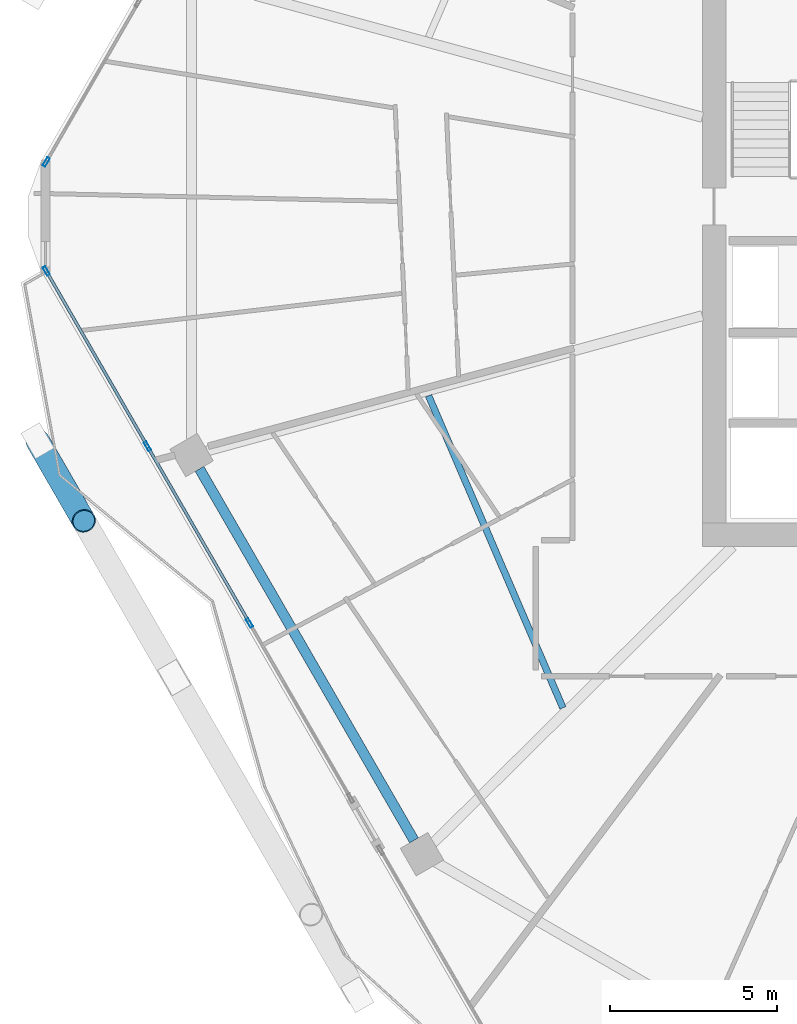
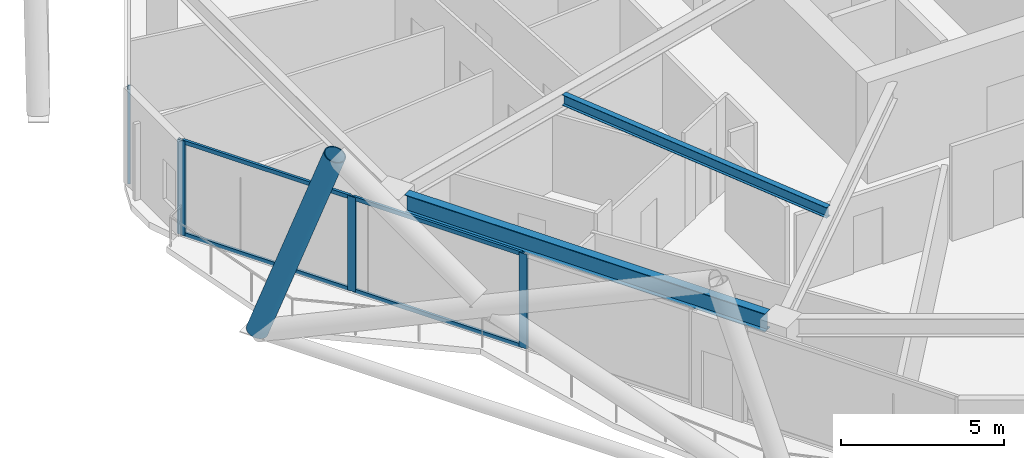
# One storey, part 5 of 29: 9 members, 2 beams, 2 elements without a shape of their own.
"""IFC4 building model written with IfcOpenShell, lengths in metres."""

from ifc_helpers import new_model, si_unit, direction, frame, origin, origin_2d, place, context, subcontext, project, spatial, hollow_rectangle, hollow_circle, i_section, extrude, material, material_profile, profile_set, type_object, element, aggregate, save


model = new_model("IFC4")

# Units and contexts
model_context = context("Model", 3, precision=1e-05, world=origin(), true_north=direction((0.0, 1.0)))
body_context = subcontext(model_context, "Body", "Model", "MODEL_VIEW")
ifc_project = project(units=[si_unit("LENGTHUNIT", "METRE"), si_unit("AREAUNIT", "SQUARE_METRE"), si_unit("VOLUMEUNIT", "CUBIC_METRE"), si_unit("PLANEANGLEUNIT", "RADIAN"), si_unit("MASSUNIT", "GRAM", prefix="KILO")], contexts=[model_context])

# Site, building, storey
site_placement = place(None, origin())
site = spatial("IfcSite", under=ifc_project, at=site_placement, CompositionType="ELEMENT")
building_placement = place(site_placement, origin())
building = spatial("IfcBuilding", under=site, at=building_placement, Name="Zuhravey Tower", CompositionType="ELEMENT")
storey_placement = place(building_placement, frame((0.0, 0.0, 192.199951171875)))
storey = spatial("IfcBuildingStorey", under=building, at=storey_placement, Name="L48", CompositionType="ELEMENT", Elevation=192.199951171875)

# Curtain wall, members
ifc_material_1 = material(Name="Thermally broken anodised aluminium", Category="aluminium")
curtain_wall_type = type_object("IfcCurtainWallType", Name="Zone 1-2 Residential Curtain Wall CW3", PredefinedType="NOTDEFINED", material=ifc_material_1)
curtain_wall_1_placement = place(storey_placement, origin())
curtain_wall_1 = element("IfcCurtainWall", 1, at=curtain_wall_1_placement, inside=storey, type_object=curtain_wall_type, Name="L48 CW3 CW-L48-F4-2", PredefinedType="NOTDEFINED")
ifc_material_2 = material(Name="Anodised aluminium", Category="aluminium")
ifc_material_profile_1 = material_profile(ifc_material_2, hollow_rectangle(XDim=0.090087890625, YDim=0.284912109375, WallThickness=0.0048828125, at=origin_2d()), Name="ALU-RHS-90x285x5")
ifc_profile_set_1 = profile_set([ifc_material_profile_1], Name="Anodised aluminium")
member_type_1 = type_object("IfcMemberType", Name="Curtain-Wall Mullion 90x180", PredefinedType="MULLION", material=ifc_profile_set_1)
member_1_placement = place(storey_placement, frame((11.620361328125, 19.860595703125, 0.0), z_axis=(0.0, 0.0, 1.0), x_axis=(-0.866026406579, -0.499998263105, 0.0)))
member_1 = element("IfcMember", 2, at=member_1_placement, type_object=member_type_1, Name="CW3 mullion 2", PredefinedType="MULLION", context=body_context, shape_type="SweptSolid", body=[
    extrude(hollow_rectangle(XDim=0.090087890625, YDim=0.284912109375, WallThickness=0.0048828125, at=origin_2d()), origin(), (0.0, 0.0, 1.0), 3.550048828125),
])
member_2_placement = place(storey_placement, frame((8.57421875, 25.136474609375, 0.0), z_axis=(0.0, 0.0, 1.0), x_axis=(-0.866026406579, -0.499998263105, 0.0)))
member_2 = element("IfcMember", 3, at=member_2_placement, type_object=member_type_1, Name="CW3 mullion 3", PredefinedType="MULLION", context=body_context, shape_type="SweptSolid", body=[
    extrude(hollow_rectangle(XDim=0.090087890625, YDim=0.284912109375, WallThickness=0.0048828125, at=origin_2d()), origin(), (0.0, 0.0, 1.0), 3.550048828125),
])
member_3_placement = place(storey_placement, frame((5.55078125, 30.37353515625, 0.0), z_axis=(0.0, 0.0, 1.0), x_axis=(-0.866026406579, -0.499998263105, 0.0)))
member_3 = element("IfcMember", 4, at=member_3_placement, type_object=member_type_1, Name="CW3 mullion 4", PredefinedType="MULLION", context=body_context, shape_type="SweptSolid", body=[
    extrude(hollow_rectangle(XDim=0.090087890625, YDim=0.284912109375, WallThickness=0.0048828125, at=origin_2d()), origin(), (0.0, 0.0, 1.0), 3.550048828125),
])

# Curtain wall, member
curtain_wall_2_placement = place(storey_placement, origin())
curtain_wall_2 = element("IfcCurtainWall", 5, at=curtain_wall_2_placement, inside=storey, type_object=curtain_wall_type, Name="L48 CW3 CW-L48-F3-1", PredefinedType="NOTDEFINED")
member_4_placement = place(storey_placement, frame((5.55078125, 33.62646484375, 0.0), z_axis=(0.0, 0.0, 1.0), x_axis=(-0.866025138215, 0.500000459979, 0.0)))
member_4 = element("IfcMember", 6, at=member_4_placement, type_object=member_type_1, Name="CW3 mullion 1", PredefinedType="MULLION", context=body_context, shape_type="SweptSolid", body=[
    extrude(hollow_rectangle(XDim=0.090087890625, YDim=0.284912109375, WallThickness=0.0048828125, at=origin_2d()), origin(), (0.0, 0.0, 1.0), 3.550048828125),
])
aggregate(curtain_wall_2, [member_4])

# Member
ifc_material_profile_2 = material_profile(ifc_material_2, hollow_rectangle(XDim=0.090087890625, YDim=0.14990234375, WallThickness=0.0048828125, at=origin_2d()), Name="ALU-RHS-90x150x5")
ifc_profile_set_2 = profile_set([ifc_material_profile_2], Name="Anodised aluminium")
member_type_2 = type_object("IfcMemberType", Name="Curtain-Wall Transom 90x150", PredefinedType="USERDEFINED", material=ifc_profile_set_2)
member_5_placement = place(storey_placement, frame((11.597900390625, 19.899658203125, 0.045166015625), z_axis=(-0.500019384178, 0.866014212035, 0.0), x_axis=(-0.866014212035, -0.500019384178, 0.0)))
member_5 = element("IfcMember", 7, at=member_5_placement, type_object=member_type_2, Name="CW3 transom 2.1", ObjectType="TRANSOM", PredefinedType="USERDEFINED", context=body_context, shape_type="SweptSolid", body=[
    extrude(hollow_rectangle(XDim=0.090087890625, YDim=0.14990234375, WallThickness=0.0048828125, at=origin_2d()), origin(), (0.0, 0.0, 1.0), 6.002197265625),
])

member_6_placement = place(storey_placement, frame((11.597900390625, 19.899658203125, 3.505126953125), z_axis=(-0.500019384178, 0.866014212035, 0.0), x_axis=(-0.866014212035, -0.500019384178, 0.0)))
member_6 = element("IfcMember", 8, at=member_6_placement, type_object=member_type_2, Name="CW3 transom 2.2", ObjectType="TRANSOM", PredefinedType="USERDEFINED", context=body_context, shape_type="SweptSolid", body=[
    extrude(hollow_rectangle(XDim=0.090087890625, YDim=0.14990234375, WallThickness=0.0048828125, at=origin_2d()), origin(), (0.0, 0.0, 1.0), 6.002197265625),
])

member_7_placement = place(storey_placement, frame((8.5517578125, 25.175537109375, 0.045166015625), z_axis=(-0.500000352308, 0.866025200379, 0.0), x_axis=(-0.866025200379, -0.500000352308, 0.0)))
member_7 = element("IfcMember", 9, at=member_7_placement, type_object=member_type_2, Name="CW3 transom 3.1", ObjectType="TRANSOM", PredefinedType="USERDEFINED", context=body_context, shape_type="SweptSolid", body=[
    extrude(hollow_rectangle(XDim=0.090087890625, YDim=0.14990234375, WallThickness=0.0048828125, at=origin_2d()), origin(), (0.0, 0.0, 1.0), 5.95703125),
])

member_8_placement = place(storey_placement, frame((8.5517578125, 25.175537109375, 3.505126953125), z_axis=(-0.500000352308, 0.866025200379, 0.0), x_axis=(-0.866025200379, -0.500000352308, 0.0)))
member_8 = element("IfcMember", 10, at=member_8_placement, type_object=member_type_2, Name="CW3 transom 3.2", ObjectType="TRANSOM", PredefinedType="USERDEFINED", context=body_context, shape_type="SweptSolid", body=[
    extrude(hollow_rectangle(XDim=0.090087890625, YDim=0.14990234375, WallThickness=0.0048828125, at=origin_2d()), origin(), (0.0, 0.0, 1.0), 5.95703125),
])

aggregate(curtain_wall_1, [member_1, member_2, member_3, member_5, member_6, member_7, member_8])

ifc_material_3 = material(Name="Steel SM460", Category="steel")
ifc_material_profile_3 = material_profile(ifc_material_3, hollow_circle(Radius=0.355712890625, WallThickness=0.031982421875, at=origin_2d()), Name="CHS-711.2x32")
ifc_profile_set_3 = profile_set([ifc_material_profile_3], Name="Steel SM460")
member_type_3 = type_object("IfcMemberType", Name="Exoskeleton Zone 2 Diagrid CHS711x32", PredefinedType="BRACE", material=ifc_profile_set_3)
member_9_placement = place(storey_placement, frame((5.294677734375, 25.296875, -0.44384765625), z_axis=(0.171433802544, -0.296937543674, 0.939382002437), x_axis=(0.866029404905, 0.499993069792, 0.0)))
element("IfcMember", 11, at=member_9_placement, inside=storey, type_object=member_type_3, Name="L48 Face 4 Diagrid Brace 1", PredefinedType="BRACE", context=body_context, shape_type="SweptSolid", body=[
    extrude(hollow_circle(Radius=0.355712890625, WallThickness=0.031982421875, at=origin_2d()), origin(), (0.0, 0.0, 1.0), 8.047607421875),
])

# Beams
ifc_material_4 = material(Name="Steel SM355", Category="steel")
ifc_material_profile_4 = material_profile(ifc_material_4, i_section(OverallWidth=0.300048828125, OverallDepth=0.679931640625, WebThickness=0.012939453125, FlangeThickness=0.02197265625, at=origin_2d()), Name="H-680x300x13x22")
ifc_profile_set_4 = profile_set([ifc_material_profile_4], Name="Steel SM355")
beam_type_1 = type_object("IfcBeamType", Name="Perimeter Ring Beam H680x300", PredefinedType="BEAM", material=ifc_profile_set_4)
beam_1_placement = place(storey_placement, frame((10.13134765625, 24.45947265625, 3.2099609375), z_axis=(0.500003505699, -0.866023379758, 0.0), x_axis=(0.866023379758, 0.500003505699, 0.0)))
element("IfcBeam", 12, at=beam_1_placement, inside=storey, type_object=beam_type_1, Name="L48 PB2 BM-L48-PB-07", PredefinedType="BEAM", context=body_context, shape_type="SweptSolid", body=[
    extrude(i_section(OverallWidth=0.300048828125, OverallDepth=0.679931640625, WebThickness=0.012939453125, FlangeThickness=0.02197265625, at=origin_2d()), origin(), (0.0, 0.0, 1.0), 12.80810546875),
])
ifc_material_profile_5 = material_profile(ifc_material_4, i_section(OverallWidth=0.199951171875, OverallDepth=0.39990234375, WebThickness=0.008056640625, FlangeThickness=0.012939453125, at=origin_2d()), Name="H-400x200x8x13")
ifc_profile_set_5 = profile_set([ifc_material_profile_5], Name="Steel SM355")
beam_type_2 = type_object("IfcBeamType", Name="Secondary Floor Joist H400x200", PredefinedType="JOIST", material=ifc_profile_set_5)
beam_2_placement = place(storey_placement, frame((16.970458984375, 26.6474609375, 3.35009765625), z_axis=(0.395265853487, -0.918566766799, 0.0), x_axis=(0.918566766799, 0.395265853487, 0.0)))
element("IfcBeam", 13, at=beam_2_placement, inside=storey, type_object=beam_type_2, Name="L48 SJ2 BM-L48-SJ-07-1", PredefinedType="JOIST", context=body_context, shape_type="SweptSolid", body=[
    extrude(i_section(OverallWidth=0.199951171875, OverallDepth=0.39990234375, WebThickness=0.008056640625, FlangeThickness=0.012939453125, at=origin_2d()), origin(), (0.0, 0.0, 1.0), 10.150146484375),
])

save(model, "model.ifc")
